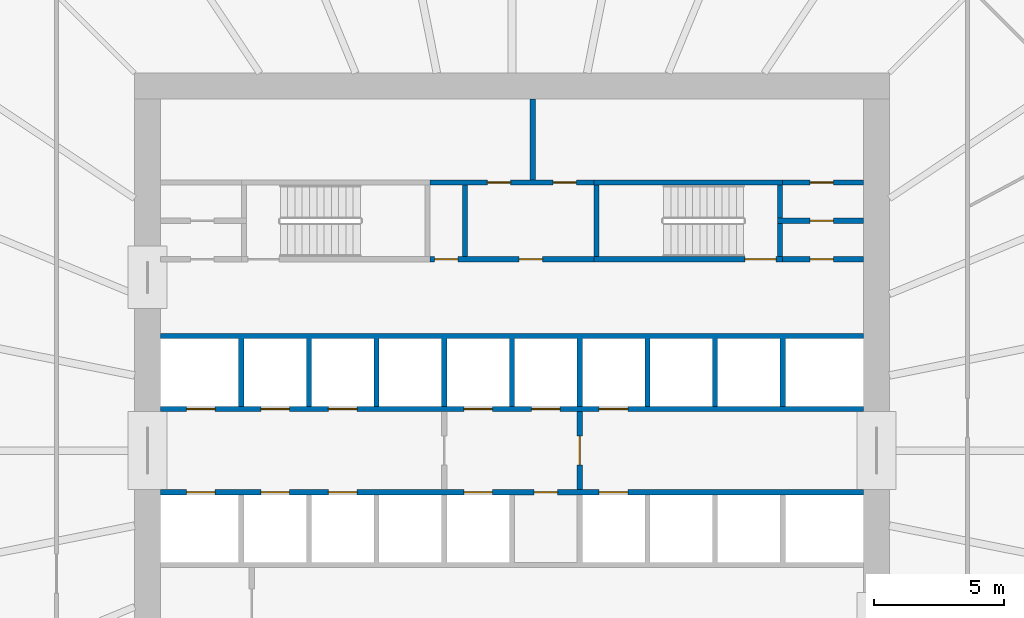
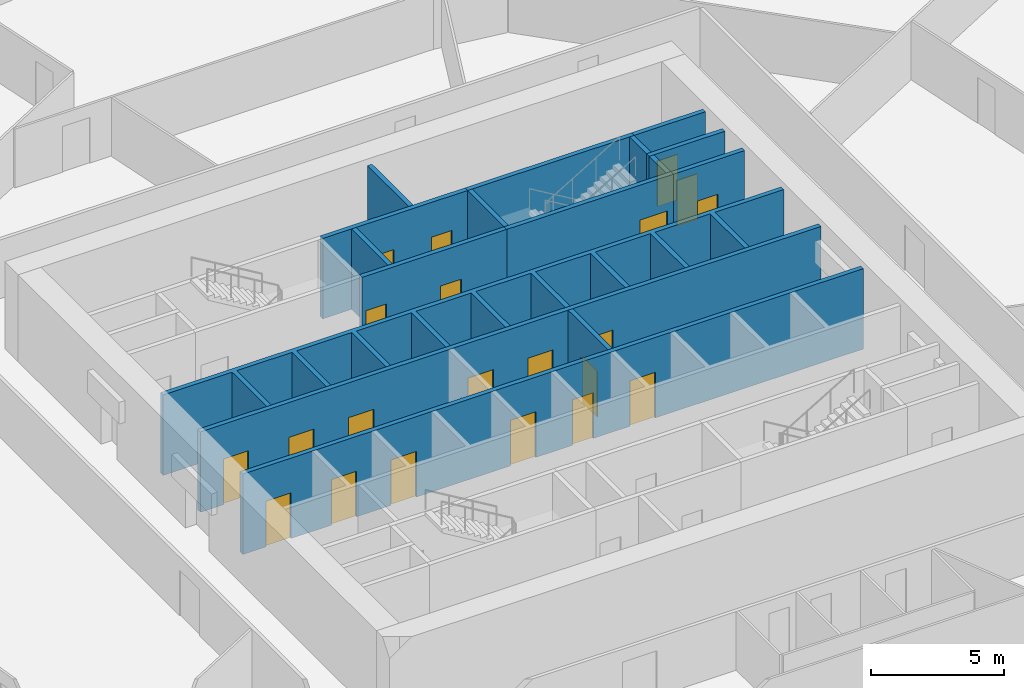
# One storey, part 6 of 8: 21 doors, 16 walls, 21 openings.
"""IFC4 building model written with IfcOpenShell, lengths in metres."""

import ifcopenshell
import ifcopenshell.guid

model = None  # the IFC model being written
_history = None  # IfcOwnerHistory: only IFC2X3 demands one
_inside = {}  # id of a spatial element -> (the spatial element, [elements in it])
_under = {}  # id of a project, library or spatial element -> (it, [spatial elements below it])
_declared = {}  # id of a project -> (the project, [libraries it declares])
_typed = {}  # id of a type object -> (the type object, [elements of that type])
_made_of = {}  # id of a material, layer set ... -> (it, [elements and type objects made of it])


def new_model(schema):
    """Start an empty IFC model of exactly this schema.

    Asked for "IFC4X3", IfcOpenShell would pick the latest addendum, in which some entities
    have other attributes; the version numbers below select the first issue.
    IFC2X3 requires an IfcOwnerHistory on every rooted entity: one is made here for all.
    """
    global model, _history
    if schema == "IFC4X3":
        model = ifcopenshell.file(schema_version=(4, 3, 0, 0))
    else:
        model = ifcopenshell.file(schema=schema)
    _inside.clear()
    _under.clear()
    _declared.clear()
    _typed.clear()
    _made_of.clear()
    _history = None
    if model.schema == "IFC2X3":
        org = make("IfcOrganization", Name="unknown")
        user = make(
            "IfcPersonAndOrganization",
            ThePerson=make("IfcPerson", FamilyName="unknown"),
            TheOrganization=org,
        )
        app = make(
            "IfcApplication",
            ApplicationDeveloper=org,
            Version="unknown",
            ApplicationFullName="unknown",
            ApplicationIdentifier="unknown",
        )
        _history = make(
            "IfcOwnerHistory",
            OwningUser=user,
            OwningApplication=app,
            ChangeAction="ADDED",
            CreationDate=0,
        )
    return model


def make(cls, **values):
    """One entity of the class cls with the attributes given. An attribute that is None is left unset."""
    return model.create_entity(
        cls, **{name: value for name, value in values.items() if value is not None}
    )


def rooted(cls, **values):
    """An entity with a GlobalId (a new one), such as an element, a storey or a relation."""
    return make(cls, GlobalId=ifcopenshell.guid.new(), OwnerHistory=_history, **values)


def si_unit(unit_type, name, prefix=None):
    """IfcSIUnit, for example si_unit("LENGTHUNIT", "METRE", prefix="MILLI")."""
    return make("IfcSIUnit", UnitType=unit_type, Prefix=prefix, Name=name)


def assignment(units):
    """IfcUnitAssignment: the units of a project."""
    return None if units is None else make("IfcUnitAssignment", Units=units)


def point(xyz):
    """IfcCartesianPoint."""
    return None if xyz is None else make("IfcCartesianPoint", Coordinates=xyz)


def direction(xyz):
    """IfcDirection."""
    return None if xyz is None else make("IfcDirection", DirectionRatios=xyz)


def frame(location, z_axis=None, x_axis=None):
    """IfcAxis2Placement3D, a coordinate frame: its origin and axes. An axis left out is left unset."""
    return make(
        "IfcAxis2Placement3D",
        Location=point(location),
        Axis=direction(z_axis),
        RefDirection=direction(x_axis),
    )


def frame_2d(location, x_axis=None):
    """IfcAxis2Placement2D, a coordinate frame in the plane: its origin and x axis."""
    return make(
        "IfcAxis2Placement2D", Location=point(location), RefDirection=direction(x_axis)
    )


def origin():
    """The frame at (0, 0, 0) with its axes left unset."""
    return frame((0.0, 0.0, 0.0))


def place(relative_to, where):
    """IfcLocalPlacement: puts the frame where relative to a parent placement (None: the world)."""
    return make(
        "IfcLocalPlacement", PlacementRelTo=relative_to, RelativePlacement=where
    )


def context(
    kind, dimensions, precision=None, world=None, true_north=None, identifier=None
):
    """IfcGeometricRepresentationContext, for example the 3D "Model" context."""
    return make(
        "IfcGeometricRepresentationContext",
        ContextIdentifier=identifier,
        ContextType=kind,
        CoordinateSpaceDimension=dimensions,
        Precision=precision,
        WorldCoordinateSystem=world,
        TrueNorth=true_north,
    )


def subcontext(parent, identifier, kind, view, scale=None):
    """IfcGeometricRepresentationSubContext, for example "Body" below "Model"."""
    return make(
        "IfcGeometricRepresentationSubContext",
        ContextIdentifier=identifier,
        ContextType=kind,
        ParentContext=parent,
        TargetScale=scale,
        TargetView=view,
    )


def project(units=None, contexts=None):
    """IfcProject with its units and contexts."""
    return rooted(
        "IfcProject",
        Name="project",
        RepresentationContexts=contexts,
        UnitsInContext=assignment(units),
    )


def spatial(cls, under=None, at=None, **own):
    """A site, building, storey or space (cls), placed at a placement, below another one or the project."""
    s = rooted(cls, ObjectPlacement=at, **own)
    if under is not None:
        _under.setdefault(under.id(), (under, []))[1].append(s)
    return s


def polyline(points):
    """IfcPolyline through the points."""
    return make("IfcPolyline", Points=[point(p) for p in points])


def profile(cls, at=None, kind="AREA", **sizes):
    """A parametric profile (cls). Its sizes go by their IFC names, for example OverallWidth=200.0."""
    return make(cls, ProfileType=kind, Position=at, **sizes)


def rectangle(**sizes):
    """IfcRectangleProfileDef."""
    return profile("IfcRectangleProfileDef", **sizes)


def outline(outer, holes=None, kind="AREA"):
    """IfcArbitraryClosedProfileDef: a profile drawn as a closed curve; with holes, ...WithVoids."""
    if holes is None:
        return make("IfcArbitraryClosedProfileDef", ProfileType=kind, OuterCurve=outer)
    return make(
        "IfcArbitraryProfileDefWithVoids",
        ProfileType=kind,
        OuterCurve=outer,
        InnerCurves=holes,
    )


def extrude(swept, where, along, depth):
    """IfcExtrudedAreaSolid: the profile swept, set in the frame where, extruded along a direction by depth."""
    return make(
        "IfcExtrudedAreaSolid",
        SweptArea=swept,
        Position=where,
        ExtrudedDirection=direction(along),
        Depth=depth,
    )


def shape(context_of_items, identifier, shape_type, items):
    """IfcShapeRepresentation: the items that make up one representation, for example the "Body"."""
    return make(
        "IfcShapeRepresentation",
        ContextOfItems=context_of_items,
        RepresentationIdentifier=identifier,
        RepresentationType=shape_type,
        Items=items,
    )


def material(Name=None, Category=None):
    """IfcMaterial."""
    return make("IfcMaterial", Name=Name, Category=Category)


def layer(
    of_material, thickness, ventilated=None, Name=None, Category=None, Priority=None
):
    """IfcMaterialLayer: one layer of a wall or slab, of a material (None: an air gap)."""
    return make(
        "IfcMaterialLayer",
        Material=of_material,
        LayerThickness=thickness,
        IsVentilated=ventilated,
        Name=Name,
        Category=Category,
        Priority=Priority,
    )


def layer_set(layers, Name=None):
    """IfcMaterialLayerSet."""
    return make("IfcMaterialLayerSet", MaterialLayers=layers, LayerSetName=Name)


def made_of(thing, what):
    """Note that an element or type object is made of a material, layer set ...; save() writes the relation."""
    if what is not None:
        _made_of.setdefault(what.id(), (what, []))[1].append(thing)
    return thing


def type_object(cls, material=None, **own):
    """A type object (cls), such as IfcWallType, which elements share."""
    return made_of(rooted(cls, **own), material)


def element(
    cls,
    number,
    at=None,
    inside=None,
    cuts=None,
    type_object=None,
    material=None,
    context=None,
    identifier="Body",
    shape_type=None,
    held_by="IfcProductDefinitionShape",
    body=None,
    shapes=None,
    **own,
):
    """One element of the class cls, such as IfcWall. Its Tag is "e" and its number.

    at: its placement. inside: the storey or other place that contains it. cuts: it is an
    opening in that element (IfcRelVoidsElement). A single representation is given by context,
    identifier, shape_type and body (its items); several are given by shapes. held_by: the class
    of the entity that holds the representations. save() writes the other relations.
    """
    e = rooted(cls, Tag="e%d" % number, ObjectPlacement=at, **own)
    if body is not None:
        shapes = [shape(context, identifier, shape_type, body)]
    if shapes is not None:
        e.Representation = make(held_by, Representations=shapes)
    if inside is not None:
        _inside.setdefault(inside.id(), (inside, []))[1].append(e)
    if cuts is not None:
        rooted(
            "IfcRelVoidsElement", RelatingBuildingElement=cuts, RelatedOpeningElement=e
        )
    if type_object is not None:
        _typed.setdefault(type_object.id(), (type_object, []))[1].append(e)
    return made_of(e, material)


def fill(opening, filler):
    """IfcRelFillsElement: the door or window that sits in an opening."""
    return rooted(
        "IfcRelFillsElement",
        RelatingOpeningElement=opening,
        RelatedBuildingElement=filler,
    )


def aggregate(whole, parts):
    """IfcRelAggregates: a whole, such as a stair, and the parts it consists of."""
    return rooted("IfcRelAggregates", RelatingObject=whole, RelatedObjects=parts)


def save(model, path):
    """Write the relations noted so far, then the file.

    IfcRelAggregates (storeys below a building ...), IfcRelContainedInSpatialStructure (elements
    in a storey), IfcRelDefinesByType, IfcRelAssociatesMaterial and IfcRelDeclares: one each for
    every whole, place, type object, material and project.
    """
    for whole, parts in _under.values():
        aggregate(whole, parts)
    for where, things in _inside.values():
        rooted(
            "IfcRelContainedInSpatialStructure",
            RelatedElements=things,
            RelatingStructure=where,
        )
    for kind, things in _typed.values():
        rooted("IfcRelDefinesByType", RelatedObjects=things, RelatingType=kind)
    for what, things in _made_of.values():
        rooted("IfcRelAssociatesMaterial", RelatedObjects=things, RelatingMaterial=what)
    for by, libraries in _declared.values():
        rooted("IfcRelDeclares", RelatingContext=by, RelatedDefinitions=libraries)
    model.write(path)


model = new_model("IFC4")

# Units and contexts
model_context = context("Model", 3, precision=1e-05, world=origin(), true_north=direction((0.0, 1.0)))
body_context = subcontext(model_context, "Body", "Model", "MODEL_VIEW")
ifc_project = project(units=[si_unit("LENGTHUNIT", "METRE"), si_unit("AREAUNIT", "SQUARE_METRE"), si_unit("VOLUMEUNIT", "CUBIC_METRE"), si_unit("PLANEANGLEUNIT", "RADIAN"), si_unit("MASSUNIT", "GRAM", prefix="KILO")], contexts=[model_context])

# Site, building, storey
site_placement = place(None, origin())
site = spatial("IfcSite", under=ifc_project, at=site_placement, CompositionType="ELEMENT")
building_placement = place(site_placement, origin())
building = spatial("IfcBuilding", under=site, at=building_placement, Name="Corvane Civic Tower", CompositionType="ELEMENT")
storey_placement = place(building_placement, frame((0.0, 0.0, 114.5)))
storey = spatial("IfcBuildingStorey", under=building, at=storey_placement, Name="L26", CompositionType="ELEMENT", Elevation=114.5)

# Wall, openings, doors
ifc_material_1 = material(Name="Concrete C30/37", Category="concrete")
ifc_layer_1 = layer(ifc_material_1, 0.199951171875)
ifc_layer_set_1 = layer_set([ifc_layer_1], Name="Concrete C30/37")
wall_type_1 = type_object("IfcWallType", Name="CR-WALL-200", PredefinedType="PARTITIONING", material=ifc_layer_set_1)
wall_1_placement = place(storey_placement, frame((-13.5, -1.60009765625, 0.0), z_axis=(0.0, 0.0, 1.0), x_axis=(1.0, 0.0, 0.0)))
wall_1 = element("IfcWall", 1, at=wall_1_placement, inside=storey, type_object=wall_type_1, Name="L26 lift shaft wall", PredefinedType="PARTITIONING", context=body_context, shape_type="SweptSolid", body=[
    extrude(rectangle(XDim=27.0, YDim=0.199951171875, at=frame_2d((13.5, 0.0))), origin(), (0.0, 0.0, 1.0), 3.699951171875),
])
opening_1_placement = place(wall_1_placement, frame((1.0, 0.0, 0.0)))
opening_1 = element("IfcOpeningElement", 2, at=opening_1_placement, cuts=wall_1, Name="Opening LD", PredefinedType="OPENING", context=body_context, shape_type="SweptSolid", body=[
    extrude(rectangle(XDim=1.10009765625, YDim=2.10009765625, at=frame_2d((0.550048828125, 1.050048828125))), frame((0.0, 0.10986328125, 0.0), z_axis=(0.0, -1.0, 0.0), x_axis=(1.0, 0.0, 0.0)), (0.0, 0.0, 1.0), 0.219970703125),
])
opening_2_placement = place(wall_1_placement, frame((3.85009765625, 0.0, 0.0)))
opening_2 = element("IfcOpeningElement", 3, at=opening_2_placement, cuts=wall_1, Name="Opening LD", PredefinedType="OPENING", context=body_context, shape_type="SweptSolid", body=[
    extrude(rectangle(XDim=1.10009765625, YDim=2.10009765625, at=frame_2d((0.550048828125, 1.050048828125))), frame((0.0, 0.10986328125, 0.0), z_axis=(0.0, -1.0, 0.0), x_axis=(1.0, 0.0, 0.0)), (0.0, 0.0, 1.0), 0.219970703125),
])
opening_3_placement = place(wall_1_placement, frame((6.449951171875, 0.0, 0.0)))
opening_3 = element("IfcOpeningElement", 4, at=opening_3_placement, cuts=wall_1, Name="Opening LD", PredefinedType="OPENING", context=body_context, shape_type="SweptSolid", body=[
    extrude(rectangle(XDim=1.10009765625, YDim=2.10009765625, at=frame_2d((0.550048828125, 1.050048828125))), frame((0.0, 0.10986328125, 0.0), z_axis=(0.0, -1.0, 0.0), x_axis=(1.0, 0.0, 0.0)), (0.0, 0.0, 1.0), 0.219970703125),
])
opening_4_placement = place(wall_1_placement, frame((11.64990234375, 0.0, 0.0)))
opening_4 = element("IfcOpeningElement", 5, at=opening_4_placement, cuts=wall_1, Name="Opening LD", PredefinedType="OPENING", context=body_context, shape_type="SweptSolid", body=[
    extrude(rectangle(XDim=1.10009765625, YDim=2.10009765625, at=frame_2d((0.550048828125, 1.050048828125))), frame((0.0, 0.10986328125, 0.0), z_axis=(0.0, -1.0, 0.0), x_axis=(1.0, 0.0, 0.0)), (0.0, 0.0, 1.0), 0.219970703125),
])
opening_5_placement = place(wall_1_placement, frame((14.35009765625, 0.0, 0.0)))
opening_5 = element("IfcOpeningElement", 6, at=opening_5_placement, cuts=wall_1, Name="Opening L26.C01", PredefinedType="OPENING", context=body_context, shape_type="SweptSolid", body=[
    extrude(rectangle(XDim=0.89990234375, YDim=2.10009765625, at=frame_2d((0.449951171875, 1.050048828125))), frame((0.0, 0.10986328125, 0.0), z_axis=(0.0, -1.0, 0.0), x_axis=(1.0, 0.0, 0.0)), (0.0, 0.0, 1.0), 0.219970703125),
])
opening_6_placement = place(wall_1_placement, frame((16.85009765625, 0.0, 0.0)))
opening_6 = element("IfcOpeningElement", 7, at=opening_6_placement, cuts=wall_1, Name="Opening LD", PredefinedType="OPENING", context=body_context, shape_type="SweptSolid", body=[
    extrude(rectangle(XDim=1.10009765625, YDim=2.10009765625, at=frame_2d((0.550048828125, 1.050048828125))), frame((0.0, 0.10986328125, 0.0), z_axis=(0.0, -1.0, 0.0), x_axis=(1.0, 0.0, 0.0)), (0.0, 0.0, 1.0), 0.219970703125),
])
ifc_material_2 = material(Name="Steel fire door leaf", Category="steel")
door_type_1 = type_object("IfcDoorType", Name="CR-DOOR-900", OperationType="SINGLE_SWING_LEFT", PredefinedType="DOOR", material=ifc_material_2)
door_1_placement = place(opening_5_placement, origin())
door_1 = element("IfcDoor", 8, at=door_1_placement, inside=storey, type_object=door_type_1, Name="L26 door", OperationType="SINGLE_SWING_LEFT", OverallHeight=2.10009765625, OverallWidth=0.89990234375, PredefinedType="DOOR", context=body_context, shape_type="SweptSolid", body=[
    extrude(rectangle(XDim=0.89990234375, YDim=2.10009765625, at=frame_2d((0.449951171875, 1.050048828125))), frame((0.0, 0.02490234375, 0.0), z_axis=(0.0, -1.0, 0.0), x_axis=(1.0, 0.0, 0.0)), (0.0, 0.0, 1.0), 0.050048828125),
])
fill(opening_5, door_1)
ifc_material_3 = material(Name="Stainless steel 316 door leaves", Category="steel")
door_type_2 = type_object("IfcDoorType", Name="LD", OperationType="DOUBLE_DOOR_SLIDING", PredefinedType="DOOR", material=ifc_material_3)
door_2_placement = place(opening_1_placement, origin())
door_2 = element("IfcDoor", 9, at=door_2_placement, inside=storey, type_object=door_type_2, Name="L26 landing door", OperationType="DOUBLE_DOOR_SLIDING", OverallHeight=2.10009765625, OverallWidth=1.10009765625, PredefinedType="DOOR", context=body_context, shape_type="SweptSolid", body=[
    extrude(rectangle(XDim=1.10009765625, YDim=2.10009765625, at=frame_2d((0.550048828125, 1.050048828125))), frame((0.0, 0.02490234375, 0.0), z_axis=(0.0, -1.0, 0.0), x_axis=(1.0, 0.0, 0.0)), (0.0, 0.0, 1.0), 0.050048828125),
])
fill(opening_1, door_2)
door_3_placement = place(opening_2_placement, origin())
door_3 = element("IfcDoor", 10, at=door_3_placement, inside=storey, type_object=door_type_2, Name="L26 landing door", OperationType="DOUBLE_DOOR_SLIDING", OverallHeight=2.10009765625, OverallWidth=1.10009765625, PredefinedType="DOOR", context=body_context, shape_type="SweptSolid", body=[
    extrude(rectangle(XDim=1.10009765625, YDim=2.10009765625, at=frame_2d((0.550048828125, 1.050048828125))), frame((0.0, 0.02490234375, 0.0), z_axis=(0.0, -1.0, 0.0), x_axis=(1.0, 0.0, 0.0)), (0.0, 0.0, 1.0), 0.050048828125),
])
fill(opening_2, door_3)
door_4_placement = place(opening_3_placement, origin())
door_4 = element("IfcDoor", 11, at=door_4_placement, inside=storey, type_object=door_type_2, Name="L26 landing door", OperationType="DOUBLE_DOOR_SLIDING", OverallHeight=2.10009765625, OverallWidth=1.10009765625, PredefinedType="DOOR", context=body_context, shape_type="SweptSolid", body=[
    extrude(rectangle(XDim=1.10009765625, YDim=2.10009765625, at=frame_2d((0.550048828125, 1.050048828125))), frame((0.0, 0.02490234375, 0.0), z_axis=(0.0, -1.0, 0.0), x_axis=(1.0, 0.0, 0.0)), (0.0, 0.0, 1.0), 0.050048828125),
])
fill(opening_3, door_4)
door_5_placement = place(opening_4_placement, origin())
door_5 = element("IfcDoor", 12, at=door_5_placement, inside=storey, type_object=door_type_2, Name="L26 landing door", OperationType="DOUBLE_DOOR_SLIDING", OverallHeight=2.10009765625, OverallWidth=1.10009765625, PredefinedType="DOOR", context=body_context, shape_type="SweptSolid", body=[
    extrude(rectangle(XDim=1.10009765625, YDim=2.10009765625, at=frame_2d((0.550048828125, 1.050048828125))), frame((0.0, 0.02490234375, 0.0), z_axis=(0.0, -1.0, 0.0), x_axis=(1.0, 0.0, 0.0)), (0.0, 0.0, 1.0), 0.050048828125),
])
fill(opening_4, door_5)
door_6_placement = place(opening_6_placement, origin())
door_6 = element("IfcDoor", 13, at=door_6_placement, inside=storey, type_object=door_type_2, Name="L26 landing door", OperationType="DOUBLE_DOOR_SLIDING", OverallHeight=2.10009765625, OverallWidth=1.10009765625, PredefinedType="DOOR", context=body_context, shape_type="SweptSolid", body=[
    extrude(rectangle(XDim=1.10009765625, YDim=2.10009765625, at=frame_2d((0.550048828125, 1.050048828125))), frame((0.0, 0.02490234375, 0.0), z_axis=(0.0, -1.0, 0.0), x_axis=(1.0, 0.0, 0.0)), (0.0, 0.0, 1.0), 0.050048828125),
])
fill(opening_6, door_6)

wall_2_placement = place(storey_placement, frame((-13.5, 1.60009765625, 0.0), z_axis=(0.0, 0.0, 1.0), x_axis=(1.0, 0.0, 0.0)))
wall_2 = element("IfcWall", 14, at=wall_2_placement, inside=storey, type_object=wall_type_1, Name="L26 lift shaft wall", PredefinedType="PARTITIONING", context=body_context, shape_type="SweptSolid", body=[
    extrude(rectangle(XDim=27.0, YDim=0.199951171875, at=frame_2d((13.5, 0.0))), origin(), (0.0, 0.0, 1.0), 3.699951171875),
])
opening_7_placement = place(wall_2_placement, frame((1.0, 0.0, 0.0)))
opening_7 = element("IfcOpeningElement", 15, at=opening_7_placement, cuts=wall_2, Name="Opening LD", PredefinedType="OPENING", context=body_context, shape_type="SweptSolid", body=[
    extrude(rectangle(XDim=1.10009765625, YDim=2.10009765625, at=frame_2d((0.550048828125, 1.050048828125))), frame((0.0, 0.10986328125, 0.0), z_axis=(0.0, -1.0, 0.0), x_axis=(1.0, 0.0, 0.0)), (0.0, 0.0, 1.0), 0.219970703125),
])
opening_8_placement = place(wall_2_placement, frame((3.85009765625, 0.0, 0.0)))
opening_8 = element("IfcOpeningElement", 16, at=opening_8_placement, cuts=wall_2, Name="Opening LD", PredefinedType="OPENING", context=body_context, shape_type="SweptSolid", body=[
    extrude(rectangle(XDim=1.10009765625, YDim=2.10009765625, at=frame_2d((0.550048828125, 1.050048828125))), frame((0.0, 0.10986328125, 0.0), z_axis=(0.0, -1.0, 0.0), x_axis=(1.0, 0.0, 0.0)), (0.0, 0.0, 1.0), 0.219970703125),
])
opening_9_placement = place(wall_2_placement, frame((6.449951171875, 0.0, 0.0)))
opening_9 = element("IfcOpeningElement", 17, at=opening_9_placement, cuts=wall_2, Name="Opening LD", PredefinedType="OPENING", context=body_context, shape_type="SweptSolid", body=[
    extrude(rectangle(XDim=1.10009765625, YDim=2.10009765625, at=frame_2d((0.550048828125, 1.050048828125))), frame((0.0, 0.10986328125, 0.0), z_axis=(0.0, -1.0, 0.0), x_axis=(1.0, 0.0, 0.0)), (0.0, 0.0, 1.0), 0.219970703125),
])
opening_10_placement = place(wall_2_placement, frame((11.64990234375, 0.0, 0.0)))
opening_10 = element("IfcOpeningElement", 18, at=opening_10_placement, cuts=wall_2, Name="Opening LD", PredefinedType="OPENING", context=body_context, shape_type="SweptSolid", body=[
    extrude(rectangle(XDim=1.10009765625, YDim=2.10009765625, at=frame_2d((0.550048828125, 1.050048828125))), frame((0.0, 0.10986328125, 0.0), z_axis=(0.0, -1.0, 0.0), x_axis=(1.0, 0.0, 0.0)), (0.0, 0.0, 1.0), 0.219970703125),
])
opening_11_placement = place(wall_2_placement, frame((14.25, 0.0, 0.0)))
opening_11 = element("IfcOpeningElement", 19, at=opening_11_placement, cuts=wall_2, Name="Opening LD", PredefinedType="OPENING", context=body_context, shape_type="SweptSolid", body=[
    extrude(rectangle(XDim=1.10009765625, YDim=2.10009765625, at=frame_2d((0.550048828125, 1.050048828125))), frame((0.0, 0.10986328125, 0.0), z_axis=(0.0, -1.0, 0.0), x_axis=(1.0, 0.0, 0.0)), (0.0, 0.0, 1.0), 0.219970703125),
])
opening_12_placement = place(wall_2_placement, frame((16.85009765625, 0.0, 0.0)))
opening_12 = element("IfcOpeningElement", 20, at=opening_12_placement, cuts=wall_2, Name="Opening LD", PredefinedType="OPENING", context=body_context, shape_type="SweptSolid", body=[
    extrude(rectangle(XDim=1.10009765625, YDim=2.10009765625, at=frame_2d((0.550048828125, 1.050048828125))), frame((0.0, 0.10986328125, 0.0), z_axis=(0.0, -1.0, 0.0), x_axis=(1.0, 0.0, 0.0)), (0.0, 0.0, 1.0), 0.219970703125),
])
door_7_placement = place(opening_7_placement, origin())
door_7 = element("IfcDoor", 21, at=door_7_placement, inside=storey, type_object=door_type_2, Name="L26 landing door", OperationType="DOUBLE_DOOR_SLIDING", OverallHeight=2.10009765625, OverallWidth=1.10009765625, PredefinedType="DOOR", context=body_context, shape_type="SweptSolid", body=[
    extrude(rectangle(XDim=1.10009765625, YDim=2.10009765625, at=frame_2d((0.550048828125, 1.050048828125))), frame((0.0, 0.02490234375, 0.0), z_axis=(0.0, -1.0, 0.0), x_axis=(1.0, 0.0, 0.0)), (0.0, 0.0, 1.0), 0.050048828125),
])
fill(opening_7, door_7)
door_8_placement = place(opening_8_placement, origin())
door_8 = element("IfcDoor", 22, at=door_8_placement, inside=storey, type_object=door_type_2, Name="L26 landing door", OperationType="DOUBLE_DOOR_SLIDING", OverallHeight=2.10009765625, OverallWidth=1.10009765625, PredefinedType="DOOR", context=body_context, shape_type="SweptSolid", body=[
    extrude(rectangle(XDim=1.10009765625, YDim=2.10009765625, at=frame_2d((0.550048828125, 1.050048828125))), frame((0.0, 0.02490234375, 0.0), z_axis=(0.0, -1.0, 0.0), x_axis=(1.0, 0.0, 0.0)), (0.0, 0.0, 1.0), 0.050048828125),
])
fill(opening_8, door_8)
door_9_placement = place(opening_9_placement, origin())
door_9 = element("IfcDoor", 23, at=door_9_placement, inside=storey, type_object=door_type_2, Name="L26 landing door", OperationType="DOUBLE_DOOR_SLIDING", OverallHeight=2.10009765625, OverallWidth=1.10009765625, PredefinedType="DOOR", context=body_context, shape_type="SweptSolid", body=[
    extrude(rectangle(XDim=1.10009765625, YDim=2.10009765625, at=frame_2d((0.550048828125, 1.050048828125))), frame((0.0, 0.02490234375, 0.0), z_axis=(0.0, -1.0, 0.0), x_axis=(1.0, 0.0, 0.0)), (0.0, 0.0, 1.0), 0.050048828125),
])
fill(opening_9, door_9)
door_10_placement = place(opening_10_placement, origin())
door_10 = element("IfcDoor", 24, at=door_10_placement, inside=storey, type_object=door_type_2, Name="L26 landing door", OperationType="DOUBLE_DOOR_SLIDING", OverallHeight=2.10009765625, OverallWidth=1.10009765625, PredefinedType="DOOR", context=body_context, shape_type="SweptSolid", body=[
    extrude(rectangle(XDim=1.10009765625, YDim=2.10009765625, at=frame_2d((0.550048828125, 1.050048828125))), frame((0.0, 0.02490234375, 0.0), z_axis=(0.0, -1.0, 0.0), x_axis=(1.0, 0.0, 0.0)), (0.0, 0.0, 1.0), 0.050048828125),
])
fill(opening_10, door_10)
door_11_placement = place(opening_11_placement, origin())
door_11 = element("IfcDoor", 25, at=door_11_placement, inside=storey, type_object=door_type_2, Name="L26 landing door", OperationType="DOUBLE_DOOR_SLIDING", OverallHeight=2.10009765625, OverallWidth=1.10009765625, PredefinedType="DOOR", context=body_context, shape_type="SweptSolid", body=[
    extrude(rectangle(XDim=1.10009765625, YDim=2.10009765625, at=frame_2d((0.550048828125, 1.050048828125))), frame((0.0, 0.02490234375, 0.0), z_axis=(0.0, -1.0, 0.0), x_axis=(1.0, 0.0, 0.0)), (0.0, 0.0, 1.0), 0.050048828125),
])
fill(opening_11, door_11)
door_12_placement = place(opening_12_placement, origin())
door_12 = element("IfcDoor", 26, at=door_12_placement, inside=storey, type_object=door_type_2, Name="L26 landing door", OperationType="DOUBLE_DOOR_SLIDING", OverallHeight=2.10009765625, OverallWidth=1.10009765625, PredefinedType="DOOR", context=body_context, shape_type="SweptSolid", body=[
    extrude(rectangle(XDim=1.10009765625, YDim=2.10009765625, at=frame_2d((0.550048828125, 1.050048828125))), frame((0.0, 0.02490234375, 0.0), z_axis=(0.0, -1.0, 0.0), x_axis=(1.0, 0.0, 0.0)), (0.0, 0.0, 1.0), 0.050048828125),
])
fill(opening_12, door_12)

wall_3_placement = place(storey_placement, frame((-3.14990234375, 7.35009765625, 0.0), z_axis=(0.0, 0.0, 1.0), x_axis=(1.0, 0.0, 0.0)))
wall_3 = element("IfcWall", 27, at=wall_3_placement, inside=storey, type_object=wall_type_1, Name="L26 core partition wall", PredefinedType="PARTITIONING", context=body_context, shape_type="SweptSolid", body=[
    extrude(rectangle(XDim=6.2998046875, YDim=0.199951171875, at=frame_2d((3.14990234375, 0.0))), origin(), (0.0, 0.0, 1.0), 3.699951171875),
])
opening_13_placement = place(wall_3_placement, frame((0.175048828125, 0.0, 0.0)))
opening_13 = element("IfcOpeningElement", 28, at=opening_13_placement, cuts=wall_3, Name="Opening L26.C02", PredefinedType="OPENING", context=body_context, shape_type="SweptSolid", body=[
    extrude(rectangle(XDim=0.89990234375, YDim=2.10009765625, at=frame_2d((0.449951171875, 1.050048828125))), frame((0.0, 0.10986328125, 0.0), z_axis=(0.0, -1.0, 0.0), x_axis=(1.0, 0.0, 0.0)), (0.0, 0.0, 1.0), 0.219970703125),
])
opening_14_placement = place(wall_3_placement, frame((3.425048828125, 0.0, 0.0)))
opening_14 = element("IfcOpeningElement", 29, at=opening_14_placement, cuts=wall_3, Name="Opening L26.C03", PredefinedType="OPENING", context=body_context, shape_type="SweptSolid", body=[
    extrude(rectangle(XDim=0.89990234375, YDim=2.10009765625, at=frame_2d((0.449951171875, 1.050048828125))), frame((0.0, 0.10986328125, 0.0), z_axis=(0.0, -1.0, 0.0), x_axis=(1.0, 0.0, 0.0)), (0.0, 0.0, 1.0), 0.219970703125),
])
door_13_placement = place(opening_13_placement, origin())
door_13 = element("IfcDoor", 30, at=door_13_placement, inside=storey, type_object=door_type_1, Name="L26 door", OperationType="SINGLE_SWING_LEFT", OverallHeight=2.10009765625, OverallWidth=0.89990234375, PredefinedType="DOOR", context=body_context, shape_type="SweptSolid", body=[
    extrude(rectangle(XDim=0.89990234375, YDim=2.10009765625, at=frame_2d((0.449951171875, 1.050048828125))), frame((0.0, 0.02490234375, 0.0), z_axis=(0.0, -1.0, 0.0), x_axis=(1.0, 0.0, 0.0)), (0.0, 0.0, 1.0), 0.050048828125),
])
fill(opening_13, door_13)
door_14_placement = place(opening_14_placement, origin())
door_14 = element("IfcDoor", 31, at=door_14_placement, inside=storey, type_object=door_type_1, Name="L26 door", OperationType="SINGLE_SWING_LEFT", OverallHeight=2.10009765625, OverallWidth=0.89990234375, PredefinedType="DOOR", context=body_context, shape_type="SweptSolid", body=[
    extrude(rectangle(XDim=0.89990234375, YDim=2.10009765625, at=frame_2d((0.449951171875, 1.050048828125))), frame((0.0, 0.02490234375, 0.0), z_axis=(0.0, -1.0, 0.0), x_axis=(1.0, 0.0, 0.0)), (0.0, 0.0, 1.0), 0.050048828125),
])
fill(opening_14, door_14)

# Wall, opening, door
wall_4_placement = place(storey_placement, frame((10.39990234375, 7.35009765625, 0.0), z_axis=(0.0, 0.0, 1.0), x_axis=(1.0, 0.0, 0.0)))
wall_4 = element("IfcWall", 32, at=wall_4_placement, inside=storey, type_object=wall_type_1, Name="L26 core partition wall", PredefinedType="PARTITIONING", context=body_context, shape_type="SweptSolid", body=[
    extrude(rectangle(XDim=3.10009765625, YDim=0.199951171875, at=frame_2d((1.550048828125, 0.0))), origin(), (0.0, 0.0, 1.0), 3.699951171875),
])
opening_15_placement = place(wall_4_placement, frame((1.050048828125, 0.0, 0.0)))
opening_15 = element("IfcOpeningElement", 33, at=opening_15_placement, cuts=wall_4, Name="Opening L26.C14", PredefinedType="OPENING", context=body_context, shape_type="SweptSolid", body=[
    extrude(rectangle(XDim=0.89990234375, YDim=2.10009765625, at=frame_2d((0.449951171875, 1.050048828125))), frame((0.0, 0.10986328125, 0.0), z_axis=(0.0, -1.0, 0.0), x_axis=(1.0, 0.0, 0.0)), (0.0, 0.0, 1.0), 0.219970703125),
])
door_15_placement = place(opening_15_placement, origin())
door_15 = element("IfcDoor", 34, at=door_15_placement, inside=storey, type_object=door_type_1, Name="L26 door", OperationType="SINGLE_SWING_LEFT", OverallHeight=2.10009765625, OverallWidth=0.89990234375, PredefinedType="DOOR", context=body_context, shape_type="SweptSolid", body=[
    extrude(rectangle(XDim=0.89990234375, YDim=2.10009765625, at=frame_2d((0.449951171875, 1.050048828125))), frame((0.0, 0.02490234375, 0.0), z_axis=(0.0, -1.0, 0.0), x_axis=(1.0, 0.0, 0.0)), (0.0, 0.0, 1.0), 0.050048828125),
])
fill(opening_15, door_15)

wall_5_placement = place(storey_placement, frame((10.199951171875, 8.824951171875, 0.0), z_axis=(0.0, 0.0, 1.0), x_axis=(1.0, 0.0, 0.0)))
wall_5 = element("IfcWall", 35, at=wall_5_placement, inside=storey, type_object=wall_type_1, Name="L26 partition wall", PredefinedType="PARTITIONING", context=body_context, shape_type="SweptSolid", body=[
    extrude(rectangle(XDim=3.300048828125, YDim=0.199951171875, at=frame_2d((1.64990234375, 0.0))), origin(), (0.0, 0.0, 1.0), 3.699951171875),
])
opening_16_placement = place(wall_5_placement, frame((1.25, 0.0, 0.0)))
opening_16 = element("IfcOpeningElement", 36, at=opening_16_placement, cuts=wall_5, Name="Opening L26.C15", PredefinedType="OPENING", context=body_context, shape_type="SweptSolid", body=[
    extrude(rectangle(XDim=0.89990234375, YDim=2.10009765625, at=frame_2d((0.449951171875, 1.050048828125))), frame((0.0, 0.10986328125, 0.0), z_axis=(0.0, -1.0, 0.0), x_axis=(1.0, 0.0, 0.0)), (0.0, 0.0, 1.0), 0.219970703125),
])
door_16_placement = place(opening_16_placement, origin())
door_16 = element("IfcDoor", 37, at=door_16_placement, inside=storey, type_object=door_type_1, Name="L26 door", OperationType="SINGLE_SWING_LEFT", OverallHeight=2.10009765625, OverallWidth=0.89990234375, PredefinedType="DOOR", context=body_context, shape_type="SweptSolid", body=[
    extrude(rectangle(XDim=0.89990234375, YDim=2.10009765625, at=frame_2d((0.449951171875, 1.050048828125))), frame((0.0, 0.02490234375, 0.0), z_axis=(0.0, -1.0, 0.0), x_axis=(1.0, 0.0, 0.0)), (0.0, 0.0, 1.0), 0.050048828125),
])
fill(opening_16, door_16)

# Wall, openings, doors
wall_6_placement = place(storey_placement, frame((-3.14990234375, 10.300048828125, 0.0), z_axis=(0.0, 0.0, 1.0), x_axis=(1.0, 0.0, 0.0)))
wall_6 = element("IfcWall", 38, at=wall_6_placement, inside=storey, type_object=wall_type_1, Name="L26 partition wall", PredefinedType="PARTITIONING", context=body_context, shape_type="SweptSolid", body=[
    extrude(rectangle(XDim=6.2998046875, YDim=0.199951171875, at=frame_2d((3.14990234375, 0.0))), origin(), (0.0, 0.0, 1.0), 3.699951171875),
])
opening_17_placement = place(wall_6_placement, frame((2.199951171875, 0.0, 0.0)))
opening_17 = element("IfcOpeningElement", 39, at=opening_17_placement, cuts=wall_6, Name="Opening L26.C06", PredefinedType="OPENING", context=body_context, shape_type="SweptSolid", body=[
    extrude(rectangle(XDim=0.89990234375, YDim=2.10009765625, at=frame_2d((0.449951171875, 1.050048828125))), frame((0.0, 0.10986328125, 0.0), z_axis=(0.0, -1.0, 0.0), x_axis=(1.0, 0.0, 0.0)), (0.0, 0.0, 1.0), 0.219970703125),
])
opening_18_placement = place(wall_6_placement, frame((4.72509765625, 0.0, 0.0)))
opening_18 = element("IfcOpeningElement", 40, at=opening_18_placement, cuts=wall_6, Name="Opening L26.C07", PredefinedType="OPENING", context=body_context, shape_type="SweptSolid", body=[
    extrude(rectangle(XDim=0.89990234375, YDim=2.10009765625, at=frame_2d((0.449951171875, 1.050048828125))), frame((0.0, 0.10986328125, 0.0), z_axis=(0.0, -1.0, 0.0), x_axis=(1.0, 0.0, 0.0)), (0.0, 0.0, 1.0), 0.219970703125),
])
door_17_placement = place(opening_17_placement, origin())
door_17 = element("IfcDoor", 41, at=door_17_placement, inside=storey, type_object=door_type_1, Name="L26 door", OperationType="SINGLE_SWING_LEFT", OverallHeight=2.10009765625, OverallWidth=0.89990234375, PredefinedType="DOOR", context=body_context, shape_type="SweptSolid", body=[
    extrude(rectangle(XDim=0.89990234375, YDim=2.10009765625, at=frame_2d((0.449951171875, 1.050048828125))), frame((0.0, 0.02490234375, 0.0), z_axis=(0.0, -1.0, 0.0), x_axis=(1.0, 0.0, 0.0)), (0.0, 0.0, 1.0), 0.050048828125),
])
fill(opening_17, door_17)
door_18_placement = place(opening_18_placement, origin())
door_18 = element("IfcDoor", 42, at=door_18_placement, inside=storey, type_object=door_type_1, Name="L26 door", OperationType="SINGLE_SWING_LEFT", OverallHeight=2.10009765625, OverallWidth=0.89990234375, PredefinedType="DOOR", context=body_context, shape_type="SweptSolid", body=[
    extrude(rectangle(XDim=0.89990234375, YDim=2.10009765625, at=frame_2d((0.449951171875, 1.050048828125))), frame((0.0, 0.02490234375, 0.0), z_axis=(0.0, -1.0, 0.0), x_axis=(1.0, 0.0, 0.0)), (0.0, 0.0, 1.0), 0.050048828125),
])
fill(opening_18, door_18)

# Wall, opening, door
wall_7_placement = place(storey_placement, frame((10.39990234375, 10.300048828125, 0.0), z_axis=(0.0, 0.0, 1.0), x_axis=(1.0, 0.0, 0.0)))
wall_7 = element("IfcWall", 43, at=wall_7_placement, inside=storey, type_object=wall_type_1, Name="L26 partition wall", PredefinedType="PARTITIONING", context=body_context, shape_type="SweptSolid", body=[
    extrude(rectangle(XDim=3.10009765625, YDim=0.199951171875, at=frame_2d((1.550048828125, 0.0))), origin(), (0.0, 0.0, 1.0), 3.699951171875),
])
opening_19_placement = place(wall_7_placement, frame((1.050048828125, 0.0, 0.0)))
opening_19 = element("IfcOpeningElement", 44, at=opening_19_placement, cuts=wall_7, Name="Opening L26.C16", PredefinedType="OPENING", context=body_context, shape_type="SweptSolid", body=[
    extrude(rectangle(XDim=0.89990234375, YDim=2.10009765625, at=frame_2d((0.449951171875, 1.050048828125))), frame((0.0, 0.10986328125, 0.0), z_axis=(0.0, -1.0, 0.0), x_axis=(1.0, 0.0, 0.0)), (0.0, 0.0, 1.0), 0.219970703125),
])
door_19_placement = place(opening_19_placement, origin())
door_19 = element("IfcDoor", 45, at=door_19_placement, inside=storey, type_object=door_type_1, Name="L26 door", OperationType="SINGLE_SWING_LEFT", OverallHeight=2.10009765625, OverallWidth=0.89990234375, PredefinedType="DOOR", context=body_context, shape_type="SweptSolid", body=[
    extrude(rectangle(XDim=0.89990234375, YDim=2.10009765625, at=frame_2d((0.449951171875, 1.050048828125))), frame((0.0, 0.02490234375, 0.0), z_axis=(0.0, -1.0, 0.0), x_axis=(1.0, 0.0, 0.0)), (0.0, 0.0, 1.0), 0.050048828125),
])
fill(opening_19, door_19)

wall_8_placement = place(storey_placement, frame((2.60009765625, -1.5, 0.0), z_axis=(0.0, 0.0, 1.0), x_axis=(0.0, 1.0, 0.0)))
wall_8 = element("IfcWall", 46, at=wall_8_placement, inside=storey, type_object=wall_type_1, Name="L26 firefighting lobby wall", PredefinedType="PARTITIONING", context=body_context, shape_type="SweptSolid", body=[
    extrude(rectangle(XDim=3.0, YDim=0.199951171875, at=frame_2d((1.5, 0.0))), origin(), (0.0, 0.0, 1.0), 3.699951171875),
])
opening_20_placement = place(wall_8_placement, frame((0.949951171875, 0.0, 0.0)))
opening_20 = element("IfcOpeningElement", 47, at=opening_20_placement, cuts=wall_8, Name="Opening L26.C25", PredefinedType="OPENING", context=body_context, shape_type="SweptSolid", body=[
    extrude(rectangle(XDim=1.10009765625, YDim=2.10009765625, at=frame_2d((0.550048828125, 1.050048828125))), frame((0.0, 0.10986328125, 0.0), z_axis=(0.0, -1.0, 0.0), x_axis=(1.0, 0.0, 0.0)), (0.0, 0.0, 1.0), 0.219970703125),
])
ifc_material_4 = material(Name="Steel fire door leaf", Category="steel")
door_type_3 = type_object("IfcDoorType", Name="CR-DOOR-FFL-1100", OperationType="SINGLE_SWING_LEFT", PredefinedType="DOOR", material=ifc_material_4)
door_20_placement = place(opening_20_placement, origin())
door_20 = element("IfcDoor", 48, at=door_20_placement, inside=storey, type_object=door_type_3, Name="L26 lobby door", OperationType="SINGLE_SWING_LEFT", OverallHeight=2.10009765625, OverallWidth=1.10009765625, PredefinedType="DOOR", context=body_context, shape_type="SweptSolid", body=[
    extrude(rectangle(XDim=1.10009765625, YDim=2.10009765625, at=frame_2d((0.550048828125, 1.050048828125))), frame((0.0, 0.02490234375, 0.0), z_axis=(0.0, -1.0, 0.0), x_axis=(1.0, 0.0, 0.0)), (0.0, 0.0, 1.0), 0.050048828125),
])
fill(opening_20, door_20)

# Walls
wall_9_placement = place(storey_placement, origin())
element("IfcWall", 49, at=wall_9_placement, inside=storey, type_object=wall_type_1, Name="L26 core partition wall", PredefinedType="PARTITIONING", context=body_context, shape_type="SweptSolid", body=[
    extrude(outline(polyline([(-1.699951171875, 7.449951171875), (-1.89990234375, 7.449951171875), (-1.89990234375, 10.199951171875), (-1.699951171875, 10.199951171875), (-1.699951171875, 7.449951171875)])), origin(), (0.0, 0.0, 1.0), 3.699951171875),
])
wall_10_placement = place(storey_placement, origin())
element("IfcWall", 50, at=wall_10_placement, inside=storey, type_object=wall_type_1, Name="L26 core partition wall", PredefinedType="PARTITIONING", context=body_context, shape_type="SweptSolid", body=[
    extrude(outline(polyline([(0.10009765625, 1.699951171875), (-0.10009765625, 1.699951171875), (-0.10009765625, 4.300048828125), (-2.5, 4.300048828125), (-2.5, 1.699951171875), (-2.699951171875, 1.699951171875), (-2.699951171875, 4.300048828125), (-5.10009765625, 4.300048828125), (-5.10009765625, 1.699951171875), (-5.300048828125, 1.699951171875), (-5.300048828125, 4.300048828125), (-7.699951171875, 4.300048828125), (-7.699951171875, 1.699951171875), (-7.89990234375, 1.699951171875), (-7.89990234375, 4.300048828125), (-10.300048828125, 4.300048828125), (-10.300048828125, 1.699951171875), (-10.5, 1.699951171875), (-10.5, 4.300048828125), (-13.5, 4.300048828125), (-13.5, 4.5), (13.5, 4.5), (13.5, 4.300048828125), (10.5, 4.300048828125), (10.5, 1.699951171875), (10.300048828125, 1.699951171875), (10.300048828125, 4.300048828125), (7.89990234375, 4.300048828125), (7.89990234375, 1.699951171875), (7.699951171875, 1.699951171875), (7.699951171875, 4.300048828125), (5.300048828125, 4.300048828125), (5.300048828125, 1.699951171875), (5.10009765625, 1.699951171875), (5.10009765625, 4.300048828125), (2.699951171875, 4.300048828125), (2.699951171875, 1.699951171875), (2.5, 1.699951171875), (2.5, 4.300048828125), (0.10009765625, 4.300048828125), (0.10009765625, 1.699951171875)])), origin(), (0.0, 0.0, 1.0), 3.699951171875),
])
wall_11_placement = place(storey_placement, origin())
element("IfcWall", 51, at=wall_11_placement, inside=storey, type_object=wall_type_1, Name="L26 core partition wall", PredefinedType="PARTITIONING", context=body_context, shape_type="SweptSolid", body=[
    extrude(outline(polyline([(0.89990234375, 10.39990234375), (0.699951171875, 10.39990234375), (0.699951171875, 13.5), (0.89990234375, 13.5), (0.89990234375, 10.39990234375)])), origin(), (0.0, 0.0, 1.0), 3.699951171875),
])

# Wall, opening, door
ifc_material_5 = material(Name="Concrete C50/60", Category="concrete")
ifc_layer_2 = layer(ifc_material_5, 0.199951171875)
ifc_layer_set_2 = layer_set([ifc_layer_2], Name="Concrete C50/60")
wall_type_2 = type_object("IfcWallType", Name="ST-WALL-200", PredefinedType="SHEAR", material=ifc_layer_set_2)
wall_12_placement = place(storey_placement, frame((3.14990234375, 7.35009765625, 0.0), z_axis=(0.0, 0.0, 1.0), x_axis=(1.0, 0.0, 0.0)))
wall_12 = element("IfcWall", 52, at=wall_12_placement, inside=storey, type_object=wall_type_2, Name="L26 stair enclosure wall", PredefinedType="SHEAR", context=body_context, shape_type="SweptSolid", body=[
    extrude(rectangle(XDim=7.25, YDim=0.199951171875, at=frame_2d((3.625, 0.0))), origin(), (0.0, 0.0, 1.0), 3.699951171875),
])
opening_21_placement = place(wall_12_placement, frame((5.800048828125, 0.0, 0.0)))
opening_21 = element("IfcOpeningElement", 53, at=opening_21_placement, cuts=wall_12, Name="Opening L26.C20", PredefinedType="OPENING", context=body_context, shape_type="SweptSolid", body=[
    extrude(rectangle(XDim=1.199951171875, YDim=2.10009765625, at=frame_2d((0.60009765625, 1.050048828125))), frame((0.0, 0.10986328125, 0.0), z_axis=(0.0, -1.0, 0.0), x_axis=(1.0, 0.0, 0.0)), (0.0, 0.0, 1.0), 0.219970703125),
])
ifc_material_6 = material(Name="Steel fire door leaf", Category="steel")
door_type_4 = type_object("IfcDoorType", Name="ST-DOOR-1200", OperationType="SINGLE_SWING_RIGHT", PredefinedType="DOOR", material=ifc_material_6)
door_21_placement = place(opening_21_placement, origin())
door_21 = element("IfcDoor", 54, at=door_21_placement, inside=storey, type_object=door_type_4, Name="L26 stair door", OperationType="SINGLE_SWING_RIGHT", OverallHeight=2.10009765625, OverallWidth=1.199951171875, PredefinedType="DOOR", context=body_context, shape_type="SweptSolid", body=[
    extrude(rectangle(XDim=1.199951171875, YDim=2.10009765625, at=frame_2d((0.60009765625, 1.050048828125))), frame((0.0, 0.02490234375, 0.0), z_axis=(0.0, -1.0, 0.0), x_axis=(1.0, 0.0, 0.0)), (0.0, 0.0, 1.0), 0.050048828125),
])
fill(opening_21, door_21)

# Walls
wall_13_placement = place(storey_placement, origin())
element("IfcWall", 55, at=wall_13_placement, inside=storey, type_object=wall_type_2, Name="L26 stair enclosure wall", PredefinedType="SHEAR", context=body_context, shape_type="SweptSolid", body=[
    extrude(outline(polyline([(10.39990234375, 10.199951171875), (3.14990234375, 10.199951171875), (3.14990234375, 10.39990234375), (10.39990234375, 10.39990234375), (10.39990234375, 10.199951171875)])), origin(), (0.0, 0.0, 1.0), 3.699951171875),
])
wall_14_placement = place(storey_placement, origin())
element("IfcWall", 56, at=wall_14_placement, inside=storey, type_object=wall_type_2, Name="L26 stair enclosure wall", PredefinedType="SHEAR", context=body_context, shape_type="SweptSolid", body=[
    extrude(outline(polyline([(3.35009765625, 7.449951171875), (3.14990234375, 7.449951171875), (3.14990234375, 10.199951171875), (3.35009765625, 10.199951171875), (3.35009765625, 7.449951171875)])), origin(), (0.0, 0.0, 1.0), 3.699951171875),
])
wall_15_placement = place(storey_placement, origin())
element("IfcWall", 57, at=wall_15_placement, inside=storey, type_object=wall_type_2, Name="L26 stair enclosure wall", PredefinedType="SHEAR", context=body_context, shape_type="SweptSolid", body=[
    extrude(outline(polyline([(10.39990234375, 8.72509765625), (10.39990234375, 7.449951171875), (10.199951171875, 7.449951171875), (10.199951171875, 8.72509765625), (10.39990234375, 8.72509765625)])), origin(), (0.0, 0.0, 1.0), 3.699951171875),
])
wall_16_placement = place(storey_placement, origin())
element("IfcWall", 58, at=wall_16_placement, inside=storey, type_object=wall_type_2, Name="L26 stair enclosure wall", PredefinedType="SHEAR", context=body_context, shape_type="SweptSolid", body=[
    extrude(outline(polyline([(10.39990234375, 8.925048828125), (10.199951171875, 8.925048828125), (10.199951171875, 10.199951171875), (10.39990234375, 10.199951171875), (10.39990234375, 8.925048828125)])), origin(), (0.0, 0.0, 1.0), 3.699951171875),
])

save(model, "model.ifc")
